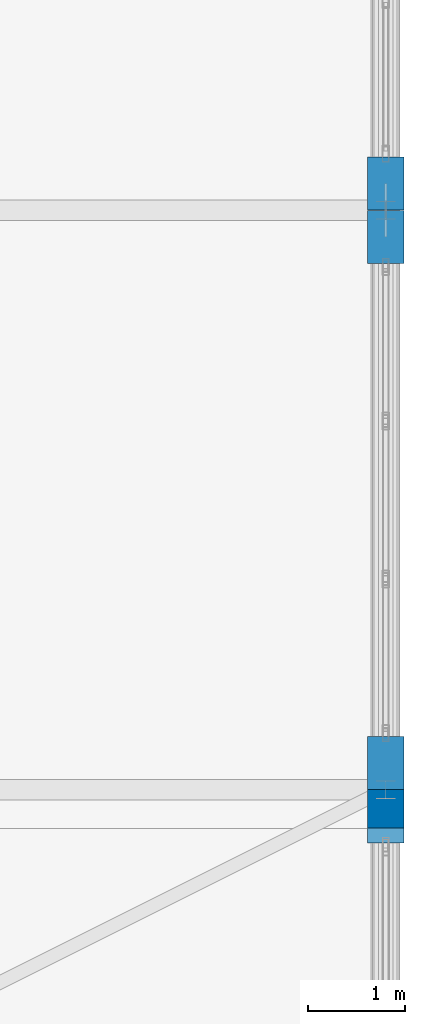
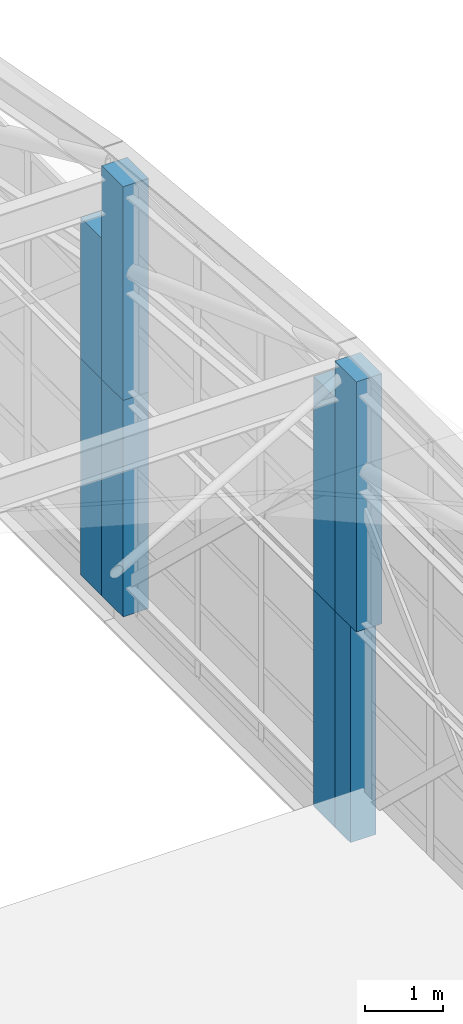
# One storey, part 194 of 204: 8 walls.
"""IFC4 building model written with IfcOpenShell, lengths in metres."""

from ifc_helpers import new_model, si_unit, direction, frame, frame_2d, origin, place, context, subcontext, project, spatial, rectangle, extrude, material, layer, layer_set, type_object, element, save


model = new_model("IFC4")

# Units and contexts
model_context = context("Model", 3, precision=1e-05, world=origin(), true_north=direction((0.0, 1.0)))
body_context = subcontext(model_context, "Body", "Model", "MODEL_VIEW")
ifc_project = project(units=[si_unit("LENGTHUNIT", "METRE"), si_unit("AREAUNIT", "SQUARE_METRE"), si_unit("VOLUMEUNIT", "CUBIC_METRE"), si_unit("PLANEANGLEUNIT", "RADIAN"), si_unit("MASSUNIT", "GRAM", prefix="KILO")], contexts=[model_context])

# Site, building, storey
site_placement = place(None, origin())
site = spatial("IfcSite", under=ifc_project, at=site_placement, CompositionType="ELEMENT")
building_placement = place(site_placement, origin())
building = spatial("IfcBuilding", under=site, at=building_placement, Name="Zilviju Railside Exhibition Hall", CompositionType="ELEMENT")
storey_placement = place(building_placement, frame((0.0, 0.0, 21.0)))
storey = spatial("IfcBuildingStorey", under=building, at=storey_placement, Name="RF", CompositionType="ELEMENT", Elevation=21.0)

# Walls
ifc_material = material(Name="Insulated cream-brick upper facade wall", Category="masonry")
ifc_layer = layer(ifc_material, 0.3798828125)
ifc_layer_set = layer_set([ifc_layer], Name="Insulated cream-brick upper facade wall")
wall_type = type_object("IfcWallType", Name="WL-EXT-380", PredefinedType="SOLIDWALL", material=ifc_layer_set)
wall_1_placement = place(storey_placement, frame((216.0, 114.0, -3.60009765625), z_axis=(0.0, 0.0, 1.0), x_axis=(0.0, -1.0, 0.0)))
element("IfcWall", 1, at=wall_1_placement, inside=storey, type_object=wall_type, Name="Curtain-Wall Jamb Closure Pier RF 0362", PredefinedType="SOLIDWALL", context=body_context, shape_type="SweptSolid", body=[
    extrude(rectangle(XDim=0.39794921875, YDim=0.3798828125, at=frame_2d((0.198974609375, 0.0))), origin(), (0.0, 0.0, 1.0), 3.400146484375),
])
wall_2_placement = place(storey_placement, frame((216.0, 114.550048828125, -3.60009765625), z_axis=(0.0, 0.0, 1.0), x_axis=(0.0, -1.0, 0.0)))
element("IfcWall", 2, at=wall_2_placement, inside=storey, type_object=wall_type, Name="Curtain-Wall Jamb Closure Pier RF 0363", PredefinedType="SOLIDWALL", context=body_context, shape_type="SweptSolid", body=[
    extrude(rectangle(XDim=0.548095703125, YDim=0.3798828125, at=frame_2d((0.27392578125, 0.0))), origin(), (0.0, 0.0, 1.0), 3.400146484375),
])
wall_3_placement = place(storey_placement, frame((216.0, 120.0, -3.60009765625), z_axis=(0.0, 0.0, 1.0), x_axis=(0.0, -1.0, 0.0)))
element("IfcWall", 3, at=wall_3_placement, inside=storey, type_object=wall_type, Name="Curtain-Wall Jamb Closure Pier RF 0364", PredefinedType="SOLIDWALL", context=body_context, shape_type="SweptSolid", body=[
    extrude(rectangle(XDim=0.550048828125, YDim=0.3798828125, at=frame_2d((0.27490234375, 0.0))), origin(), (0.0, 0.0, 1.0), 3.400146484375),
])
wall_4_placement = place(storey_placement, frame((216.0, 120.550048828125, -3.60009765625), z_axis=(0.0, 0.0, 1.0), x_axis=(0.0, -1.0, 0.0)))
element("IfcWall", 4, at=wall_4_placement, inside=storey, type_object=wall_type, Name="Curtain-Wall Jamb Closure Pier RF 0365", PredefinedType="SOLIDWALL", context=body_context, shape_type="SweptSolid", body=[
    extrude(rectangle(XDim=0.548095703125, YDim=0.3798828125, at=frame_2d((0.27392578125, 0.0))), origin(), (0.0, 0.0, 1.0), 3.400146484375),
])
wall_5_placement = place(storey_placement, frame((216.0, 114.0, -0.199951171875), z_axis=(0.0, 0.0, 1.0), x_axis=(0.0, -1.0, 0.0)))
element("IfcWall", 5, at=wall_5_placement, inside=storey, type_object=wall_type, Name="Curtain-Wall Jamb Closure Pier RF 0376", PredefinedType="SOLIDWALL", context=body_context, shape_type="SweptSolid", body=[
    extrude(rectangle(XDim=0.550048828125, YDim=0.3798828125, at=frame_2d((0.27490234375, 0.0))), origin(), (0.0, 0.0, 1.0), 3.928466796875),
])
wall_6_placement = place(storey_placement, frame((216.0, 114.550048828125, -0.199951171875), z_axis=(0.0, 0.0, 1.0), x_axis=(0.0, -1.0, 0.0)))
element("IfcWall", 6, at=wall_6_placement, inside=storey, type_object=wall_type, Name="Curtain-Wall Jamb Closure Pier RF 0377", PredefinedType="SOLIDWALL", context=body_context, shape_type="SweptSolid", body=[
    extrude(rectangle(XDim=0.548095703125, YDim=0.3798828125, at=frame_2d((0.27392578125, 0.0))), origin(), (0.0, 0.0, 1.0), 3.35546875),
])
wall_7_placement = place(storey_placement, frame((216.0, 120.0, -0.199951171875), z_axis=(0.0, 0.0, 1.0), x_axis=(0.0, -1.0, 0.0)))
element("IfcWall", 7, at=wall_7_placement, inside=storey, type_object=wall_type, Name="Curtain-Wall Jamb Closure Pier RF 0378", PredefinedType="SOLIDWALL", context=body_context, shape_type="SweptSolid", body=[
    extrude(rectangle(XDim=0.550048828125, YDim=0.3798828125, at=frame_2d((0.27490234375, 0.0))), origin(), (0.0, 0.0, 1.0), 3.35546875),
])
wall_8_placement = place(storey_placement, frame((216.0, 120.550048828125, -0.199951171875), z_axis=(0.0, 0.0, 1.0), x_axis=(0.0, -1.0, 0.0)))
element("IfcWall", 8, at=wall_8_placement, inside=storey, type_object=wall_type, Name="Curtain-Wall Jamb Closure Pier RF 0379", PredefinedType="SOLIDWALL", context=body_context, shape_type="SweptSolid", body=[
    extrude(rectangle(XDim=0.548095703125, YDim=0.3798828125, at=frame_2d((0.27392578125, 0.0))), origin(), (0.0, 0.0, 1.0), 2.209716796875),
])

save(model, "model.ifc")
